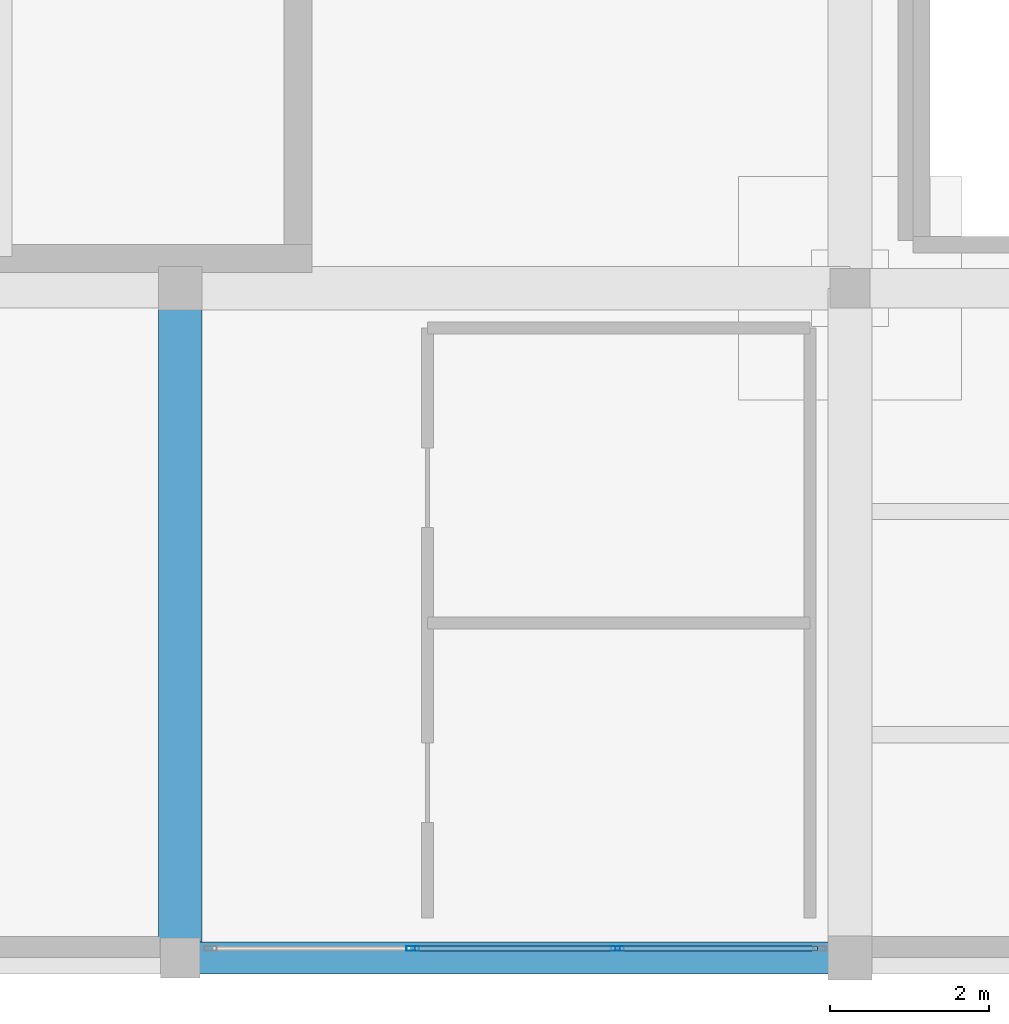
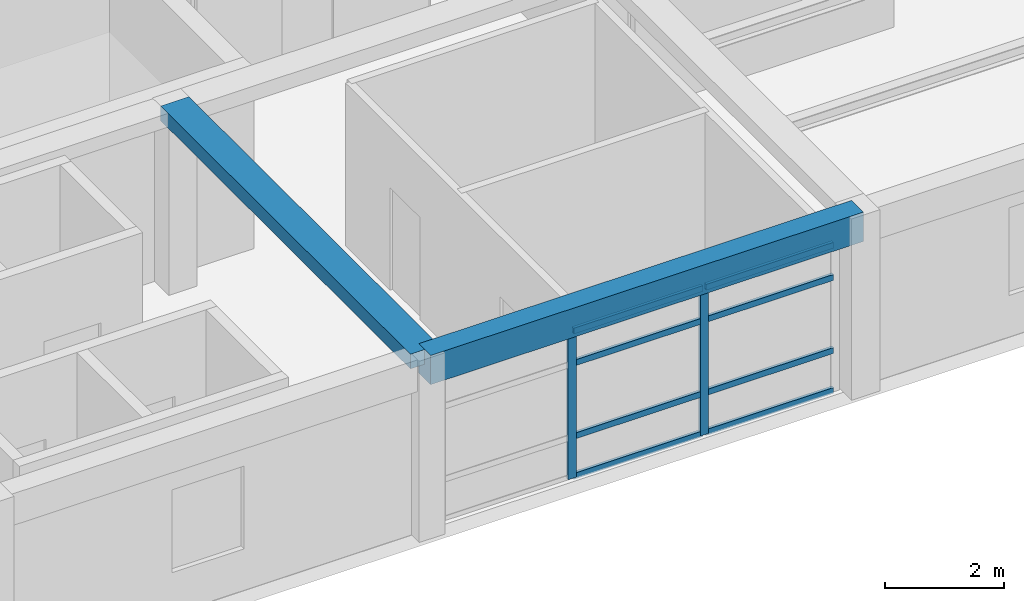
# One storey, part 3 of 20: 10 members, 2 beams, 1 element without a shape of its own.
"""IFC4 building model written with IfcOpenShell, lengths in metres."""

import ifcopenshell
import ifcopenshell.guid

model = None  # the IFC model being written
_history = None  # IfcOwnerHistory: only IFC2X3 demands one
_inside = {}  # id of a spatial element -> (the spatial element, [elements in it])
_under = {}  # id of a project, library or spatial element -> (it, [spatial elements below it])
_declared = {}  # id of a project -> (the project, [libraries it declares])
_typed = {}  # id of a type object -> (the type object, [elements of that type])
_made_of = {}  # id of a material, layer set ... -> (it, [elements and type objects made of it])


def new_model(schema):
    """Start an empty IFC model of exactly this schema.

    Asked for "IFC4X3", IfcOpenShell would pick the latest addendum, in which some entities
    have other attributes; the version numbers below select the first issue.
    IFC2X3 requires an IfcOwnerHistory on every rooted entity: one is made here for all.
    """
    global model, _history
    if schema == "IFC4X3":
        model = ifcopenshell.file(schema_version=(4, 3, 0, 0))
    else:
        model = ifcopenshell.file(schema=schema)
    _inside.clear()
    _under.clear()
    _declared.clear()
    _typed.clear()
    _made_of.clear()
    _history = None
    if model.schema == "IFC2X3":
        org = make("IfcOrganization", Name="unknown")
        user = make(
            "IfcPersonAndOrganization",
            ThePerson=make("IfcPerson", FamilyName="unknown"),
            TheOrganization=org,
        )
        app = make(
            "IfcApplication",
            ApplicationDeveloper=org,
            Version="unknown",
            ApplicationFullName="unknown",
            ApplicationIdentifier="unknown",
        )
        _history = make(
            "IfcOwnerHistory",
            OwningUser=user,
            OwningApplication=app,
            ChangeAction="ADDED",
            CreationDate=0,
        )
    return model


def make(cls, **values):
    """One entity of the class cls with the attributes given. An attribute that is None is left unset."""
    return model.create_entity(
        cls, **{name: value for name, value in values.items() if value is not None}
    )


def rooted(cls, **values):
    """An entity with a GlobalId (a new one), such as an element, a storey or a relation."""
    return make(cls, GlobalId=ifcopenshell.guid.new(), OwnerHistory=_history, **values)


def si_unit(unit_type, name, prefix=None):
    """IfcSIUnit, for example si_unit("LENGTHUNIT", "METRE", prefix="MILLI")."""
    return make("IfcSIUnit", UnitType=unit_type, Prefix=prefix, Name=name)


def assignment(units):
    """IfcUnitAssignment: the units of a project."""
    return None if units is None else make("IfcUnitAssignment", Units=units)


def point(xyz):
    """IfcCartesianPoint."""
    return None if xyz is None else make("IfcCartesianPoint", Coordinates=xyz)


def direction(xyz):
    """IfcDirection."""
    return None if xyz is None else make("IfcDirection", DirectionRatios=xyz)


def frame(location, z_axis=None, x_axis=None):
    """IfcAxis2Placement3D, a coordinate frame: its origin and axes. An axis left out is left unset."""
    return make(
        "IfcAxis2Placement3D",
        Location=point(location),
        Axis=direction(z_axis),
        RefDirection=direction(x_axis),
    )


def frame_2d(location, x_axis=None):
    """IfcAxis2Placement2D, a coordinate frame in the plane: its origin and x axis."""
    return make(
        "IfcAxis2Placement2D", Location=point(location), RefDirection=direction(x_axis)
    )


def origin():
    """The frame at (0, 0, 0) with its axes left unset."""
    return frame((0.0, 0.0, 0.0))


def origin_2d():
    """The frame at (0, 0) in the plane with its x axis left unset."""
    return frame_2d((0.0, 0.0))


def place(relative_to, where):
    """IfcLocalPlacement: puts the frame where relative to a parent placement (None: the world)."""
    return make(
        "IfcLocalPlacement", PlacementRelTo=relative_to, RelativePlacement=where
    )


def context(
    kind, dimensions, precision=None, world=None, true_north=None, identifier=None
):
    """IfcGeometricRepresentationContext, for example the 3D "Model" context."""
    return make(
        "IfcGeometricRepresentationContext",
        ContextIdentifier=identifier,
        ContextType=kind,
        CoordinateSpaceDimension=dimensions,
        Precision=precision,
        WorldCoordinateSystem=world,
        TrueNorth=true_north,
    )


def subcontext(parent, identifier, kind, view, scale=None):
    """IfcGeometricRepresentationSubContext, for example "Body" below "Model"."""
    return make(
        "IfcGeometricRepresentationSubContext",
        ContextIdentifier=identifier,
        ContextType=kind,
        ParentContext=parent,
        TargetScale=scale,
        TargetView=view,
    )


def project(units=None, contexts=None):
    """IfcProject with its units and contexts."""
    return rooted(
        "IfcProject",
        Name="project",
        RepresentationContexts=contexts,
        UnitsInContext=assignment(units),
    )


def spatial(cls, under=None, at=None, **own):
    """A site, building, storey or space (cls), placed at a placement, below another one or the project."""
    s = rooted(cls, ObjectPlacement=at, **own)
    if under is not None:
        _under.setdefault(under.id(), (under, []))[1].append(s)
    return s


def profile(cls, at=None, kind="AREA", **sizes):
    """A parametric profile (cls). Its sizes go by their IFC names, for example OverallWidth=200.0."""
    return make(cls, ProfileType=kind, Position=at, **sizes)


def rectangle(**sizes):
    """IfcRectangleProfileDef."""
    return profile("IfcRectangleProfileDef", **sizes)


def hollow_rectangle(**sizes):
    """IfcRectangleHollowProfileDef."""
    return profile("IfcRectangleHollowProfileDef", **sizes)


def extrude(swept, where, along, depth):
    """IfcExtrudedAreaSolid: the profile swept, set in the frame where, extruded along a direction by depth."""
    return make(
        "IfcExtrudedAreaSolid",
        SweptArea=swept,
        Position=where,
        ExtrudedDirection=direction(along),
        Depth=depth,
    )


def shape(context_of_items, identifier, shape_type, items):
    """IfcShapeRepresentation: the items that make up one representation, for example the "Body"."""
    return make(
        "IfcShapeRepresentation",
        ContextOfItems=context_of_items,
        RepresentationIdentifier=identifier,
        RepresentationType=shape_type,
        Items=items,
    )


def material(Name=None, Category=None):
    """IfcMaterial."""
    return make("IfcMaterial", Name=Name, Category=Category)


def material_profile(
    of_material, cross_section, Name=None, Category=None, Priority=None
):
    """IfcMaterialProfile: a cross section and its material."""
    return make(
        "IfcMaterialProfile",
        Name=Name,
        Material=of_material,
        Profile=cross_section,
        Priority=Priority,
        Category=Category,
    )


def profile_set(profiles, Name=None, composite=None):
    """IfcMaterialProfileSet."""
    return make(
        "IfcMaterialProfileSet",
        Name=Name,
        MaterialProfiles=profiles,
        CompositeProfile=composite,
    )


def made_of(thing, what):
    """Note that an element or type object is made of a material, layer set ...; save() writes the relation."""
    if what is not None:
        _made_of.setdefault(what.id(), (what, []))[1].append(thing)
    return thing


def type_object(cls, material=None, **own):
    """A type object (cls), such as IfcWallType, which elements share."""
    return made_of(rooted(cls, **own), material)


def element(
    cls,
    number,
    at=None,
    inside=None,
    cuts=None,
    type_object=None,
    material=None,
    context=None,
    identifier="Body",
    shape_type=None,
    held_by="IfcProductDefinitionShape",
    body=None,
    shapes=None,
    **own,
):
    """One element of the class cls, such as IfcWall. Its Tag is "e" and its number.

    at: its placement. inside: the storey or other place that contains it. cuts: it is an
    opening in that element (IfcRelVoidsElement). A single representation is given by context,
    identifier, shape_type and body (its items); several are given by shapes. held_by: the class
    of the entity that holds the representations. save() writes the other relations.
    """
    e = rooted(cls, Tag="e%d" % number, ObjectPlacement=at, **own)
    if body is not None:
        shapes = [shape(context, identifier, shape_type, body)]
    if shapes is not None:
        e.Representation = make(held_by, Representations=shapes)
    if inside is not None:
        _inside.setdefault(inside.id(), (inside, []))[1].append(e)
    if cuts is not None:
        rooted(
            "IfcRelVoidsElement", RelatingBuildingElement=cuts, RelatedOpeningElement=e
        )
    if type_object is not None:
        _typed.setdefault(type_object.id(), (type_object, []))[1].append(e)
    return made_of(e, material)


def aggregate(whole, parts):
    """IfcRelAggregates: a whole, such as a stair, and the parts it consists of."""
    return rooted("IfcRelAggregates", RelatingObject=whole, RelatedObjects=parts)


def save(model, path):
    """Write the relations noted so far, then the file.

    IfcRelAggregates (storeys below a building ...), IfcRelContainedInSpatialStructure (elements
    in a storey), IfcRelDefinesByType, IfcRelAssociatesMaterial and IfcRelDeclares: one each for
    every whole, place, type object, material and project.
    """
    for whole, parts in _under.values():
        aggregate(whole, parts)
    for where, things in _inside.values():
        rooted(
            "IfcRelContainedInSpatialStructure",
            RelatedElements=things,
            RelatingStructure=where,
        )
    for kind, things in _typed.values():
        rooted("IfcRelDefinesByType", RelatedObjects=things, RelatingType=kind)
    for what, things in _made_of.values():
        rooted("IfcRelAssociatesMaterial", RelatedObjects=things, RelatingMaterial=what)
    for by, libraries in _declared.values():
        rooted("IfcRelDeclares", RelatingContext=by, RelatedDefinitions=libraries)
    model.write(path)


model = new_model("IFC4")

# Units and contexts
model_context = context("Model", 3, precision=1e-05, world=origin(), true_north=direction((0.0, 1.0)))
body_context = subcontext(model_context, "Body", "Model", "MODEL_VIEW")
ifc_project = project(units=[si_unit("LENGTHUNIT", "METRE"), si_unit("AREAUNIT", "SQUARE_METRE"), si_unit("VOLUMEUNIT", "CUBIC_METRE"), si_unit("PLANEANGLEUNIT", "RADIAN"), si_unit("MASSUNIT", "GRAM", prefix="KILO")], contexts=[model_context])

# Site, building, storey
site_placement = place(None, origin())
site = spatial("IfcSite", under=ifc_project, at=site_placement, CompositionType="ELEMENT")
building_placement = place(site_placement, origin())
building = spatial("IfcBuilding", under=site, at=building_placement, Name="Almacenes y Pasaje Nevantli", CompositionType="ELEMENT")
storey_placement = place(building_placement, frame((0.0, 0.0, 62.699951171875)))
storey = spatial("IfcBuildingStorey", under=building, at=storey_placement, Name="L15", CompositionType="ELEMENT", Elevation=62.699951171875)

# Beams
ifc_material_1 = material(Name="Concrete C35/45", Category="concrete")
ifc_material_profile_1 = material_profile(ifc_material_1, rectangle(XDim=0.39990234375, YDim=0.60009765625, at=origin_2d()), Name="RC-BM-400x600")
ifc_profile_set_1 = profile_set([ifc_material_profile_1], Name="Concrete C35/45")
beam_type_1 = type_object("IfcBeamType", Name="BM-RC-400x600", PredefinedType="SPANDREL", material=ifc_profile_set_1)
beam_1_placement = place(storey_placement, frame((126.0, 67.199951171875, 3.420166015625), z_axis=(1.0, 0.0, 0.0), x_axis=(0.0, 1.0, 0.0)))
element("IfcBeam", 1, at=beam_1_placement, inside=storey, type_object=beam_type_1, Name="L15 East-West Reinforced Concrete Beam #4015", PredefinedType="SPANDREL", context=body_context, shape_type="SweptSolid", body=[
    extrude(rectangle(XDim=0.39990234375, YDim=0.60009765625, at=origin_2d()), origin(), (0.0, 0.0, 1.0), 8.39990234375),
])
ifc_material_2 = material(Name="Concrete C35/45", Category="concrete")
ifc_material_profile_2 = material_profile(ifc_material_2, rectangle(XDim=0.550048828125, YDim=0.300048828125, at=origin_2d()), Name="RC-BM-550x300")
ifc_profile_set_2 = profile_set([ifc_material_profile_2], Name="Concrete C35/45")
beam_type_2 = type_object("IfcBeamType", Name="BM-RC-550x300", PredefinedType="BEAM", material=ifc_profile_set_2)
beam_2_placement = place(storey_placement, frame((126.0, 67.199951171875, 3.570068359375), z_axis=(0.0, 1.0, 0.0), x_axis=(-1.0, 0.0, 0.0)))
element("IfcBeam", 2, at=beam_2_placement, inside=storey, type_object=beam_type_2, Name="L15 North-South Reinforced Concrete Beam #4033", PredefinedType="BEAM", context=body_context, shape_type="SweptSolid", body=[
    extrude(rectangle(XDim=0.550048828125, YDim=0.300048828125, at=origin_2d()), origin(), (0.0, 0.0, 1.0), 8.400146484375),
])

# Curtain wall, members
ifc_material_3 = material(Name="Thermally Broken Aluminium and Low-E Glass", Category="aluminium")
curtain_wall_type = type_object("IfcCurtainWallType", Name="CW-UNIT-TOWER", PredefinedType="USERDEFINED", material=ifc_material_3)
curtain_wall_placement = place(storey_placement, origin())
curtain_wall = element("IfcCurtainWall", 3, at=curtain_wall_placement, inside=storey, type_object=curtain_wall_type, Name="L15 Tower South Unitized Curtain Wall Bay 16", ObjectType="UNITIZED CURTAIN WALL", PredefinedType="USERDEFINED")
ifc_material_4 = material(Name="Thermally Broken Anodized Aluminium", Category="aluminium")
ifc_material_profile_3 = material_profile(ifc_material_4, hollow_rectangle(XDim=0.06005859375, YDim=0.159912109375, WallThickness=0.00390625, at=origin_2d()), Name="ALU-MUL-60x160")
ifc_profile_set_3 = profile_set([ifc_material_profile_3], Name="Thermally Broken Anodized Aluminium")
member_type_1 = type_object("IfcMemberType", Name="CW-MUL-180", PredefinedType="MULLION", material=ifc_profile_set_3)
member_1_placement = place(storey_placement, frame((128.916748046875, 67.320068359375, 0.0), z_axis=(0.0, 0.0, 1.0), x_axis=(0.0, 1.0, 0.0)))
member_1 = element("IfcMember", 4, at=member_1_placement, type_object=member_type_1, Name="CW-L15-185 mullion 2", PredefinedType="MULLION", context=body_context, shape_type="SweptSolid", body=[
    extrude(hollow_rectangle(XDim=0.06005859375, YDim=0.159912109375, WallThickness=0.00390625, at=origin_2d()), origin(), (0.0, 0.0, 1.0), 3.0400390625),
])
member_2_placement = place(storey_placement, frame((131.4833984375, 67.320068359375, 0.0), z_axis=(0.0, 0.0, 1.0), x_axis=(0.0, 1.0, 0.0)))
member_2 = element("IfcMember", 5, at=member_2_placement, type_object=member_type_1, Name="CW-L15-185 mullion 3", PredefinedType="MULLION", context=body_context, shape_type="SweptSolid", body=[
    extrude(hollow_rectangle(XDim=0.06005859375, YDim=0.159912109375, WallThickness=0.00390625, at=origin_2d()), origin(), (0.0, 0.0, 1.0), 3.0400390625),
])
ifc_material_5 = material(Name="Thermally Broken Anodized Aluminium", Category="aluminium")
ifc_material_profile_4 = material_profile(ifc_material_5, hollow_rectangle(XDim=0.06005859375, YDim=0.1201171875, WallThickness=0.00341796875, at=origin_2d()), Name="ALU-TRN-60x120")
ifc_profile_set_4 = profile_set([ifc_material_profile_4], Name="Thermally Broken Anodized Aluminium")
member_type_2 = type_object("IfcMemberType", Name="CW-TRN-130", PredefinedType="USERDEFINED", material=ifc_profile_set_4)
member_3_placement = place(storey_placement, frame((128.94677734375, 67.320068359375, 0.030029296875), z_axis=(1.0, 0.0, 0.0), x_axis=(0.0, 1.0, 0.0)))
member_3 = element("IfcMember", 6, at=member_3_placement, type_object=member_type_2, Name="CW-L15-185 transom 2.1", ObjectType="TRANSOM", PredefinedType="USERDEFINED", context=body_context, shape_type="SweptSolid", body=[
    extrude(hollow_rectangle(XDim=0.06005859375, YDim=0.1201171875, WallThickness=0.00341796875, at=origin_2d()), origin(), (0.0, 0.0, 1.0), 2.506591796875),
])
member_4_placement = place(storey_placement, frame((128.94677734375, 67.320068359375, 0.85009765625), z_axis=(1.0, 0.0, 0.0), x_axis=(0.0, 1.0, 0.0)))
member_4 = element("IfcMember", 7, at=member_4_placement, type_object=member_type_2, Name="CW-L15-185 transom 2.2", ObjectType="TRANSOM", PredefinedType="USERDEFINED", context=body_context, shape_type="SweptSolid", body=[
    extrude(hollow_rectangle(XDim=0.06005859375, YDim=0.1201171875, WallThickness=0.00341796875, at=origin_2d()), origin(), (0.0, 0.0, 1.0), 2.506591796875),
])
member_5_placement = place(storey_placement, frame((128.94677734375, 67.320068359375, 2.35009765625), z_axis=(1.0, 0.0, 0.0), x_axis=(0.0, 1.0, 0.0)))
member_5 = element("IfcMember", 8, at=member_5_placement, type_object=member_type_2, Name="CW-L15-185 transom 2.3", ObjectType="TRANSOM", PredefinedType="USERDEFINED", context=body_context, shape_type="SweptSolid", body=[
    extrude(hollow_rectangle(XDim=0.06005859375, YDim=0.1201171875, WallThickness=0.00341796875, at=origin_2d()), origin(), (0.0, 0.0, 1.0), 2.506591796875),
])
member_6_placement = place(storey_placement, frame((128.94677734375, 67.320068359375, 3.010009765625), z_axis=(1.0, 0.0, 0.0), x_axis=(0.0, 1.0, 0.0)))
member_6 = element("IfcMember", 9, at=member_6_placement, type_object=member_type_2, Name="CW-L15-185 transom 2.4", ObjectType="TRANSOM", PredefinedType="USERDEFINED", context=body_context, shape_type="SweptSolid", body=[
    extrude(hollow_rectangle(XDim=0.06005859375, YDim=0.1201171875, WallThickness=0.00341796875, at=origin_2d()), origin(), (0.0, 0.0, 1.0), 2.506591796875),
])
member_7_placement = place(storey_placement, frame((131.513427734375, 67.320068359375, 0.030029296875), z_axis=(1.0, 0.0, 0.0), x_axis=(0.0, 1.0, 0.0)))
member_7 = element("IfcMember", 10, at=member_7_placement, type_object=member_type_2, Name="CW-L15-185 transom 3.1", ObjectType="TRANSOM", PredefinedType="USERDEFINED", context=body_context, shape_type="SweptSolid", body=[
    extrude(hollow_rectangle(XDim=0.06005859375, YDim=0.1201171875, WallThickness=0.00341796875, at=origin_2d()), origin(), (0.0, 0.0, 1.0), 2.4765625),
])
member_8_placement = place(storey_placement, frame((131.513427734375, 67.320068359375, 0.85009765625), z_axis=(1.0, 0.0, 0.0), x_axis=(0.0, 1.0, 0.0)))
member_8 = element("IfcMember", 11, at=member_8_placement, type_object=member_type_2, Name="CW-L15-185 transom 3.2", ObjectType="TRANSOM", PredefinedType="USERDEFINED", context=body_context, shape_type="SweptSolid", body=[
    extrude(hollow_rectangle(XDim=0.06005859375, YDim=0.1201171875, WallThickness=0.00341796875, at=origin_2d()), origin(), (0.0, 0.0, 1.0), 2.4765625),
])
member_9_placement = place(storey_placement, frame((131.513427734375, 67.320068359375, 2.35009765625), z_axis=(1.0, 0.0, 0.0), x_axis=(0.0, 1.0, 0.0)))
member_9 = element("IfcMember", 12, at=member_9_placement, type_object=member_type_2, Name="CW-L15-185 transom 3.3", ObjectType="TRANSOM", PredefinedType="USERDEFINED", context=body_context, shape_type="SweptSolid", body=[
    extrude(hollow_rectangle(XDim=0.06005859375, YDim=0.1201171875, WallThickness=0.00341796875, at=origin_2d()), origin(), (0.0, 0.0, 1.0), 2.4765625),
])
member_10_placement = place(storey_placement, frame((131.513427734375, 67.320068359375, 3.010009765625), z_axis=(1.0, 0.0, 0.0), x_axis=(0.0, 1.0, 0.0)))
member_10 = element("IfcMember", 13, at=member_10_placement, type_object=member_type_2, Name="CW-L15-185 transom 3.4", ObjectType="TRANSOM", PredefinedType="USERDEFINED", context=body_context, shape_type="SweptSolid", body=[
    extrude(hollow_rectangle(XDim=0.06005859375, YDim=0.1201171875, WallThickness=0.00341796875, at=origin_2d()), origin(), (0.0, 0.0, 1.0), 2.4765625),
])
aggregate(curtain_wall, [member_1, member_2, member_3, member_4, member_5, member_6, member_7, member_8, member_9, member_10])

save(model, "model.ifc")
